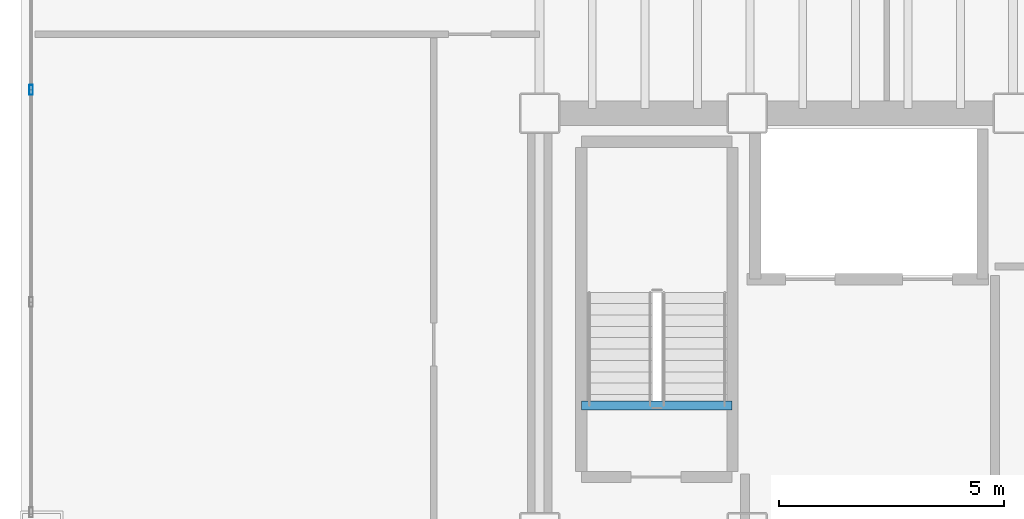
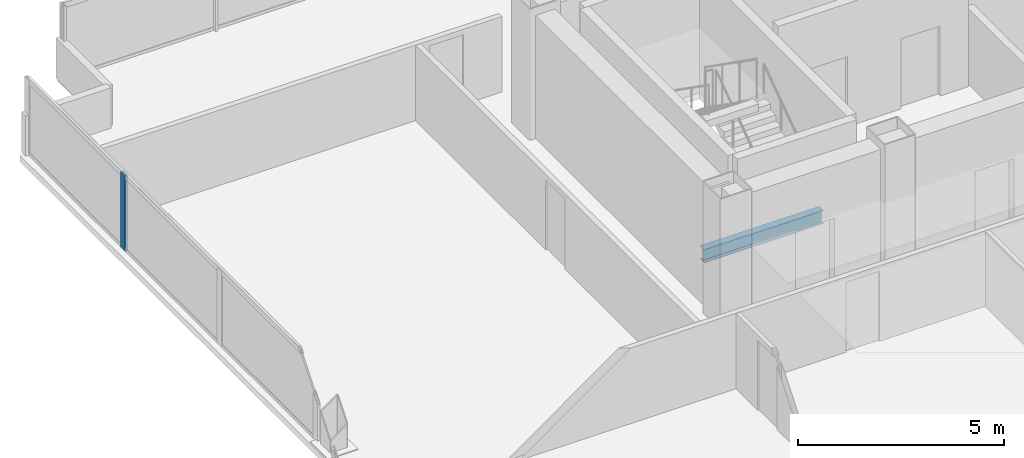
# One storey, part 7 of 19: 1 beam, 1 member, 1 element without a shape of its own.
"""IFC4 building model written with IfcOpenShell, lengths in metres."""

from ifc_helpers import new_model, si_unit, direction, frame, origin, origin_2d, place, context, subcontext, project, spatial, hollow_rectangle, i_section, extrude, material, material_profile, profile_set, type_object, element, aggregate, save


model = new_model("IFC4")

# Units and contexts
model_context = context("Model", 3, precision=1e-05, world=origin(), true_north=direction((0.0, 1.0)))
body_context = subcontext(model_context, "Body", "Model", "MODEL_VIEW")
ifc_project = project(units=[si_unit("LENGTHUNIT", "METRE"), si_unit("AREAUNIT", "SQUARE_METRE"), si_unit("VOLUMEUNIT", "CUBIC_METRE"), si_unit("PLANEANGLEUNIT", "RADIAN"), si_unit("MASSUNIT", "GRAM", prefix="KILO")], contexts=[model_context])

# Site, building, storey
site_placement = place(None, origin())
site = spatial("IfcSite", under=ifc_project, at=site_placement, CompositionType="ELEMENT")
building_placement = place(site_placement, origin())
building = spatial("IfcBuilding", under=site, at=building_placement, Name="Noeulbin Bourse Tower", CompositionType="ELEMENT")
storey_placement = place(building_placement, frame((0.0, 0.0, 165.60009765625)))
storey = spatial("IfcBuildingStorey", under=building, at=storey_placement, Name="L41", CompositionType="ELEMENT", Elevation=165.60009765625)

# Beam
ifc_material_1 = material(Name="Steel S355", Category="steel")
ifc_material_profile_1 = material_profile(ifc_material_1, i_section(OverallWidth=0.199951171875, OverallDepth=0.39990234375, WebThickness=0.008056640625, FlangeThickness=0.012939453125, FilletRadius=0.01611328125, at=origin_2d()), Name="H-400x200x8x13", Category="LoadBearing")
ifc_profile_set_1 = profile_set([ifc_material_profile_1], Name="Steel S355")
beam_type = type_object("IfcBeamType", Name="BM-SEC-400", PredefinedType="BEAM", material=ifc_profile_set_1)
beam_placement = place(storey_placement, frame((14.429931640625, 31.820068359375, -0.2001953125), z_axis=(1.0, 0.0, 0.0), x_axis=(0.0, 1.0, 0.0)))
element("IfcBeam", 1, at=beam_placement, inside=storey, type_object=beam_type, Name="Stair Threshold Trimmer Beam ST1-L41", PredefinedType="BEAM", context=body_context, shape_type="SweptSolid", body=[
    extrude(i_section(OverallWidth=0.199951171875, OverallDepth=0.39990234375, WebThickness=0.008056640625, FlangeThickness=0.012939453125, FilletRadius=0.01611328125, at=origin_2d()), origin(), (0.0, 0.0, 1.0), 3.340087890625),
])

# Curtain wall, member
ifc_material_2 = material(Name="Dark Tinted Triple Glazing", Category="glass")
curtain_wall_type = type_object("IfcCurtainWallType", Name="CW-SYS-3", PredefinedType="NOTDEFINED", material=ifc_material_2)
curtain_wall_placement = place(storey_placement, origin())
curtain_wall = element("IfcCurtainWall", 2, at=curtain_wall_placement, inside=storey, type_object=curtain_wall_type, Name="Unitised Curtain Wall CW-L41-W-S2", PredefinedType="NOTDEFINED")
ifc_material_3 = material(Name="Anodised Aluminium 6063-T6", Category="aluminium")
ifc_material_profile_2 = material_profile(ifc_material_3, hollow_rectangle(XDim=0.074951171875, YDim=0.219970703125, WallThickness=0.0048828125, InnerFilletRadius=0.00244140625, OuterFilletRadius=0.0048828125, at=origin_2d()), Name="ALU-MULL-75x220x5", Category="LoadBearing")
ifc_profile_set_2 = profile_set([ifc_material_profile_2], Name="Anodised Aluminium 6063-T6")
member_type = type_object("IfcMemberType", Name="CW-SYS-3-MUL", PredefinedType="MULLION", material=ifc_profile_set_2)
member_placement = place(storey_placement, frame((2.219970703125, 38.816650390625, -0.02001953125), z_axis=(0.0, 0.0, 1.0), x_axis=(1.0, 0.0, 0.0)))
member = element("IfcMember", 3, at=member_placement, type_object=member_type, Name="Curtain Wall Mullion CW-L41-W-S2-M02", PredefinedType="MULLION", context=body_context, shape_type="SweptSolid", body=[
    extrude(hollow_rectangle(XDim=0.074951171875, YDim=0.219970703125, WallThickness=0.0048828125, InnerFilletRadius=0.00244140625, OuterFilletRadius=0.0048828125, at=origin_2d()), origin(), (0.0, 0.0, 1.0), 2.260009765625),
])
aggregate(curtain_wall, [member])

save(model, "model.ifc")
